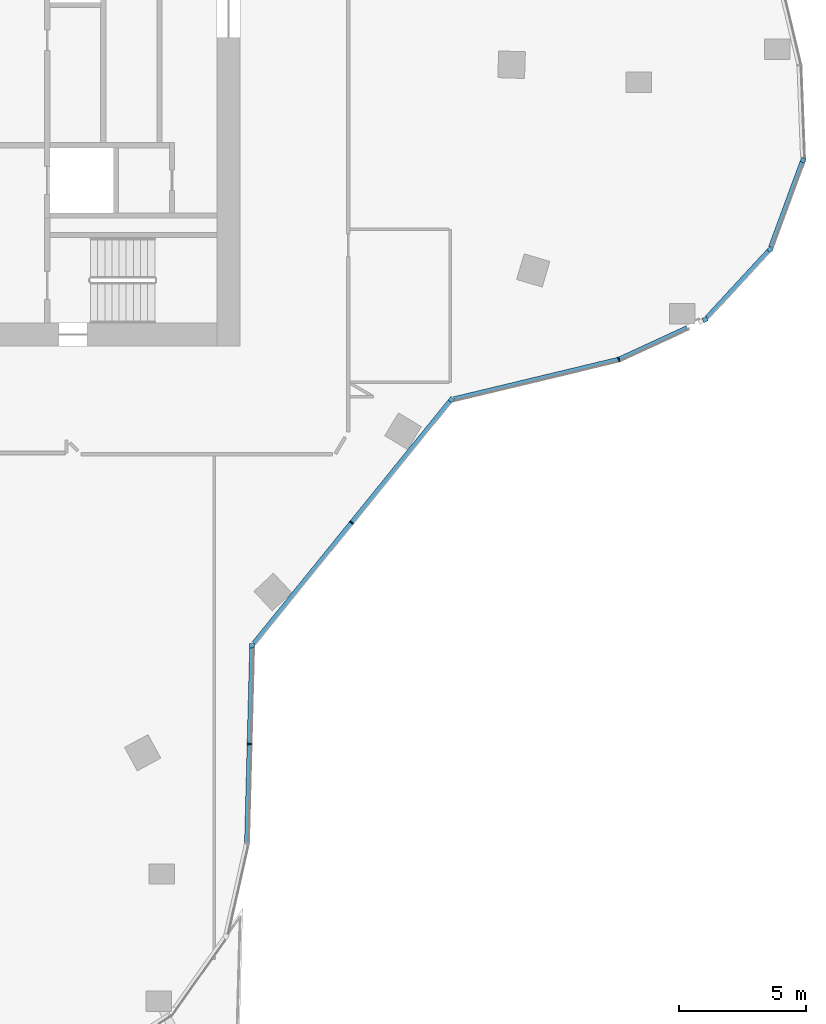
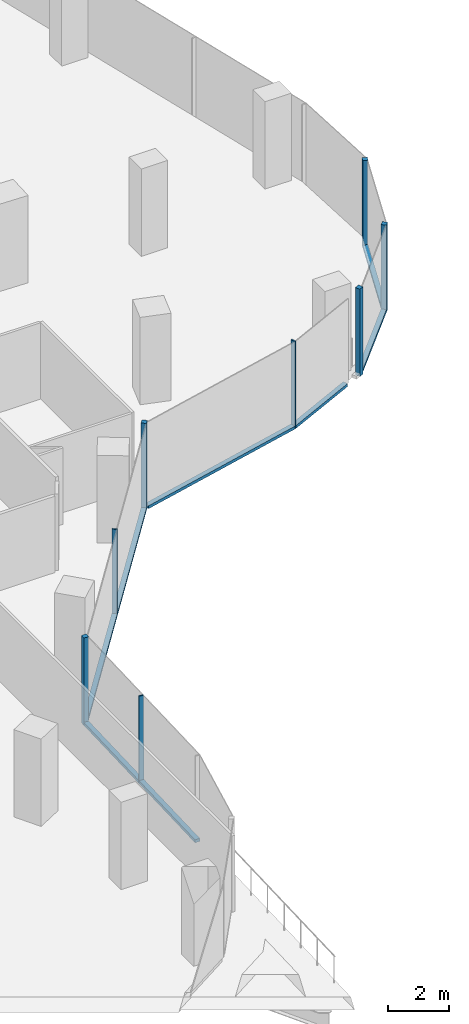
# One storey, part 6 of 25: 14 members, 6 elements without a shape of their own.
"""IFC4 building model written with IfcOpenShell, lengths in metres."""

from ifc_helpers import new_model, si_unit, direction, frame, origin, origin_2d, place, context, subcontext, project, spatial, rectangle, extrude, material, material_profile, profile_set, type_object, element, aggregate, save


model = new_model("IFC4")

# Units and contexts
model_context = context("Model", 3, precision=1e-05, world=origin(), true_north=direction((0.0, 1.0)))
body_context = subcontext(model_context, "Body", "Model", "MODEL_VIEW")
ifc_project = project(units=[si_unit("LENGTHUNIT", "METRE"), si_unit("AREAUNIT", "SQUARE_METRE"), si_unit("VOLUMEUNIT", "CUBIC_METRE"), si_unit("PLANEANGLEUNIT", "RADIAN"), si_unit("MASSUNIT", "GRAM", prefix="KILO")], contexts=[model_context])

# Site, building, storey
site_placement = place(None, origin())
site = spatial("IfcSite", under=ifc_project, at=site_placement, CompositionType="ELEMENT")
building_placement = place(site_placement, origin())
building = spatial("IfcBuilding", under=site, at=building_placement, Name="Orlundy Tower", CompositionType="ELEMENT")
storey_placement = place(building_placement, frame((0.0, 0.0, 217.5)))
storey = spatial("IfcBuildingStorey", under=building, at=storey_placement, Name="L57", CompositionType="ELEMENT", Elevation=217.5)

# Curtain wall, member
ifc_material_1 = material(Name="Aluminium bronze anodised", Category="aluminium")
curtain_wall_type = type_object("IfcCurtainWallType", Name="CW1 wall", PredefinedType="NOTDEFINED", material=ifc_material_1)
curtain_wall_1_placement = place(storey_placement, origin())
curtain_wall_1 = element("IfcCurtainWall", 1, at=curtain_wall_1_placement, inside=storey, type_object=curtain_wall_type, Name="CW1 run 013", PredefinedType="NOTDEFINED")
ifc_material_2 = material(Name="Aluminium bronze anodised", Category="aluminium")
ifc_material_profile_1 = material_profile(ifc_material_2, rectangle(XDim=0.179931640625, YDim=0.179931640625, at=origin_2d()), Name="CW1 corner post 180x180")
ifc_profile_set_1 = profile_set([ifc_material_profile_1], Name="Aluminium bronze anodised")
member_type_1 = type_object("IfcMemberType", Name="CW1 corner post 180x180", PredefinedType="MULLION", material=ifc_profile_set_1)
member_1_placement = place(storey_placement, frame((41.095703125, -4.707275390625, -0.419921875), z_axis=(0.0, 0.0, 1.0), x_axis=(0.938167941859, -0.346180462863, 0.0)))
member_1 = element("IfcMember", 2, at=member_1_placement, type_object=member_type_1, Name="CW1 mullion 33", PredefinedType="MULLION", context=body_context, shape_type="SweptSolid", body=[
    extrude(rectangle(XDim=0.179931640625, YDim=0.179931640625, at=origin_2d()), origin(), (0.0, 0.0, 1.0), 3.5),
])

curtain_wall_2_placement = place(storey_placement, origin())
curtain_wall_2 = element("IfcCurtainWall", 3, at=curtain_wall_2_placement, inside=storey, type_object=curtain_wall_type, Name="CW1 run 014", PredefinedType="NOTDEFINED")
member_2_placement = place(storey_placement, frame((39.80029296875, -8.218017578125, -0.419921875), z_axis=(0.0, 0.0, 1.0), x_axis=(0.734348182738, -0.678772971258, 0.0)))
member_2 = element("IfcMember", 4, at=member_2_placement, type_object=member_type_1, Name="CW1 mullion 34", PredefinedType="MULLION", context=body_context, shape_type="SweptSolid", body=[
    extrude(rectangle(XDim=0.179931640625, YDim=0.179931640625, at=origin_2d()), origin(), (0.0, 0.0, 1.0), 3.5),
])

curtain_wall_3_placement = place(storey_placement, origin())
curtain_wall_3 = element("IfcCurtainWall", 5, at=curtain_wall_3_placement, inside=storey, type_object=curtain_wall_type, Name="CW1 run 015", PredefinedType="NOTDEFINED")
member_3_placement = place(storey_placement, frame((37.260009765625, -10.96630859375, -0.419921875), z_axis=(0.0, 0.0, 1.0), x_axis=(0.418715973467, -0.908117246595, 0.0)))
member_3 = element("IfcMember", 6, at=member_3_placement, type_object=member_type_1, Name="CW1 mullion 35", PredefinedType="MULLION", context=body_context, shape_type="SweptSolid", body=[
    extrude(rectangle(XDim=0.179931640625, YDim=0.179931640625, at=origin_2d()), origin(), (0.0, 0.0, 1.0), 3.5),
])

curtain_wall_4_placement = place(storey_placement, origin())
curtain_wall_4 = element("IfcCurtainWall", 7, at=curtain_wall_4_placement, inside=storey, type_object=curtain_wall_type, Name="CW1 run 017", PredefinedType="NOTDEFINED")
member_4_placement = place(storey_placement, frame((27.293701171875, -14.1083984375, -0.419921875), z_axis=(0.0, 0.0, 1.0), x_axis=(0.777119891969, -0.629352582823, 0.0)))
member_4 = element("IfcMember", 8, at=member_4_placement, type_object=member_type_1, Name="CW1 mullion 37", PredefinedType="MULLION", context=body_context, shape_type="SweptSolid", body=[
    extrude(rectangle(XDim=0.179931640625, YDim=0.179931640625, at=origin_2d()), origin(), (0.0, 0.0, 1.0), 3.5),
])

curtain_wall_5_placement = place(storey_placement, origin())
curtain_wall_5 = element("IfcCurtainWall", 9, at=curtain_wall_5_placement, inside=storey, type_object=curtain_wall_type, Name="CW1 run 018", PredefinedType="NOTDEFINED")
member_5_placement = place(storey_placement, frame((19.47412109375, -23.763916015625, -0.419921875), z_axis=(0.0, 0.0, 1.0), x_axis=(0.999659938041, -0.026076968311, 0.0)))
member_5 = element("IfcMember", 10, at=member_5_placement, type_object=member_type_1, Name="CW1 mullion 39", PredefinedType="MULLION", context=body_context, shape_type="SweptSolid", body=[
    extrude(rectangle(XDim=0.179931640625, YDim=0.179931640625, at=origin_2d()), origin(), (0.0, 0.0, 1.0), 3.5),
])

curtain_wall_6_placement = place(storey_placement, origin())
curtain_wall_6 = element("IfcCurtainWall", 11, at=curtain_wall_6_placement, inside=storey, type_object=curtain_wall_type, Name="CW1 run 016", PredefinedType="NOTDEFINED")
ifc_material_3 = material(Name="Aluminium bronze anodised", Category="aluminium")
ifc_material_profile_2 = material_profile(ifc_material_3, rectangle(XDim=0.179931640625, YDim=0.050048828125, at=origin_2d()), Name="CW1 mullion 50x180")
ifc_profile_set_2 = profile_set([ifc_material_profile_2], Name="Aluminium bronze anodised")
member_type_2 = type_object("IfcMemberType", Name="CW1 mullion 50x180", PredefinedType="MULLION", material=ifc_profile_set_2)
member_6_placement = place(storey_placement, frame((33.86962890625, -12.529541015625, -0.419921875), z_axis=(0.0, 0.0, 1.0), x_axis=(0.327673002803, -0.944791195574, 0.0)))
member_6 = element("IfcMember", 12, at=member_6_placement, type_object=member_type_2, Name="CW1 mullion 36", PredefinedType="MULLION", context=body_context, shape_type="SweptSolid", body=[
    extrude(rectangle(XDim=0.179931640625, YDim=0.050048828125, at=origin_2d()), origin(), (0.0, 0.0, 1.0), 3.5),
])

# Member
member_7_placement = place(storey_placement, frame((23.384033203125, -18.93603515625, -0.419921875), z_axis=(0.0, 0.0, 1.0), x_axis=(0.777119891969, -0.629352582823, 0.0)))
member_7 = element("IfcMember", 13, at=member_7_placement, type_object=member_type_2, Name="CW1 mullion 38", PredefinedType="MULLION", context=body_context, shape_type="SweptSolid", body=[
    extrude(rectangle(XDim=0.179931640625, YDim=0.050048828125, at=origin_2d()), origin(), (0.0, 0.0, 1.0), 3.5),
])

member_8_placement = place(storey_placement, frame((19.37353515625, -27.624267578125, -0.419921875), z_axis=(0.0, 0.0, 1.0), x_axis=(0.999659938041, -0.026076968311, 0.0)))
member_8 = element("IfcMember", 14, at=member_8_placement, type_object=member_type_2, Name="CW1 mullion 40", PredefinedType="MULLION", context=body_context, shape_type="SweptSolid", body=[
    extrude(rectangle(XDim=0.179931640625, YDim=0.050048828125, at=origin_2d()), origin(), (0.0, 0.0, 1.0), 3.5),
])

ifc_material_4 = material(Name="Aluminium bronze anodised", Category="aluminium")
ifc_material_profile_3 = material_profile(ifc_material_4, rectangle(XDim=0.179931640625, YDim=0.1201171875, at=origin_2d()), Name="CW1 transom 180x120")
ifc_profile_set_3 = profile_set([ifc_material_profile_3], Name="Aluminium bronze anodised")
member_type_3 = type_object("IfcMemberType", Name="CW1 transom 180x120", PredefinedType="USERDEFINED", material=ifc_profile_set_3)
member_9_placement = place(storey_placement, frame((41.064453125, -4.791748046875, -0.360107421875), z_axis=(-0.346173212569, -0.938170617159, 0.0), x_axis=(0.938170617159, -0.346173212569, 0.0)))
member_9 = element("IfcMember", 15, at=member_9_placement, type_object=member_type_3, Name="CW1 transom", ObjectType="TRANSOM", PredefinedType="USERDEFINED", context=body_context, shape_type="SweptSolid", body=[
    extrude(rectangle(XDim=0.179931640625, YDim=0.1201171875, at=origin_2d()), origin(), (0.0, 0.0, 1.0), 3.554443359375),
])

aggregate(curtain_wall_1, [member_1, member_9])

member_10_placement = place(storey_placement, frame((39.7392578125, -8.283935546875, -0.360107421875), z_axis=(-0.678747720383, -0.73437152183, 0.0), x_axis=(0.73437152183, -0.678747720383, 0.0)))
member_10 = element("IfcMember", 16, at=member_10_placement, type_object=member_type_3, Name="CW1 transom", ObjectType="TRANSOM", PredefinedType="USERDEFINED", context=body_context, shape_type="SweptSolid", body=[
    extrude(rectangle(XDim=0.179931640625, YDim=0.1201171875, at=origin_2d()), origin(), (0.0, 0.0, 1.0), 3.55517578125),
])

aggregate(curtain_wall_2, [member_2, member_10])

member_11_placement = place(storey_placement, frame((36.549072265625, -11.2939453125, -0.360107421875), z_axis=(-0.908100993788, -0.418751220991, 0.0), x_axis=(0.418751220991, -0.908100993788, 0.0)))
member_11 = element("IfcMember", 17, at=member_11_placement, type_object=member_type_3, Name="CW1 transom", ObjectType="TRANSOM", PredefinedType="USERDEFINED", context=body_context, shape_type="SweptSolid", body=[
    extrude(rectangle(XDim=0.179931640625, YDim=0.1201171875, at=origin_2d()), origin(), (0.0, 0.0, 1.0), 2.925537109375),
])

aggregate(curtain_wall_3, [member_3, member_11])

member_12_placement = place(storey_placement, frame((33.84521484375, -12.535400390625, -0.360107421875), z_axis=(-0.972369902836, -0.233445437007, 0.0), x_axis=(0.233445437007, -0.972369902836, 0.0)))
member_12 = element("IfcMember", 18, at=member_12_placement, type_object=member_type_3, Name="CW1 transom", ObjectType="TRANSOM", PredefinedType="USERDEFINED", context=body_context, shape_type="SweptSolid", body=[
    extrude(rectangle(XDim=0.179931640625, YDim=0.1201171875, at=origin_2d()), origin(), (0.0, 0.0, 1.0), 6.624267578125),
])

aggregate(curtain_wall_6, [member_6, member_12])

member_13_placement = place(storey_placement, frame((27.237060546875, -14.17822265625, -0.360107421875), z_axis=(-0.629341885038, -0.777128555477, 0.0), x_axis=(0.777128555477, -0.629341885038, 0.0)))
member_13 = element("IfcMember", 19, at=member_13_placement, type_object=member_type_3, Name="CW1 transom", ObjectType="TRANSOM", PredefinedType="USERDEFINED", context=body_context, shape_type="SweptSolid", body=[
    extrude(rectangle(XDim=0.179931640625, YDim=0.1201171875, at=origin_2d()), origin(), (0.0, 0.0, 1.0), 12.221435546875),
])

aggregate(curtain_wall_4, [member_4, member_7, member_13])

member_14_placement = place(storey_placement, frame((19.471923828125, -23.853759765625, -0.360107421875), z_axis=(-0.026080858581, -0.999659836552, 0.0), x_axis=(0.999659836552, -0.026080858581, 0.0)))
member_14 = element("IfcMember", 20, at=member_14_placement, type_object=member_type_3, Name="CW1 transom", ObjectType="TRANSOM", PredefinedType="USERDEFINED", context=body_context, shape_type="SweptSolid", body=[
    extrude(rectangle(XDim=0.179931640625, YDim=0.1201171875, at=origin_2d()), origin(), (0.0, 0.0, 1.0), 7.64794921875),
])

aggregate(curtain_wall_5, [member_5, member_8, member_14])

save(model, "model.ifc")
